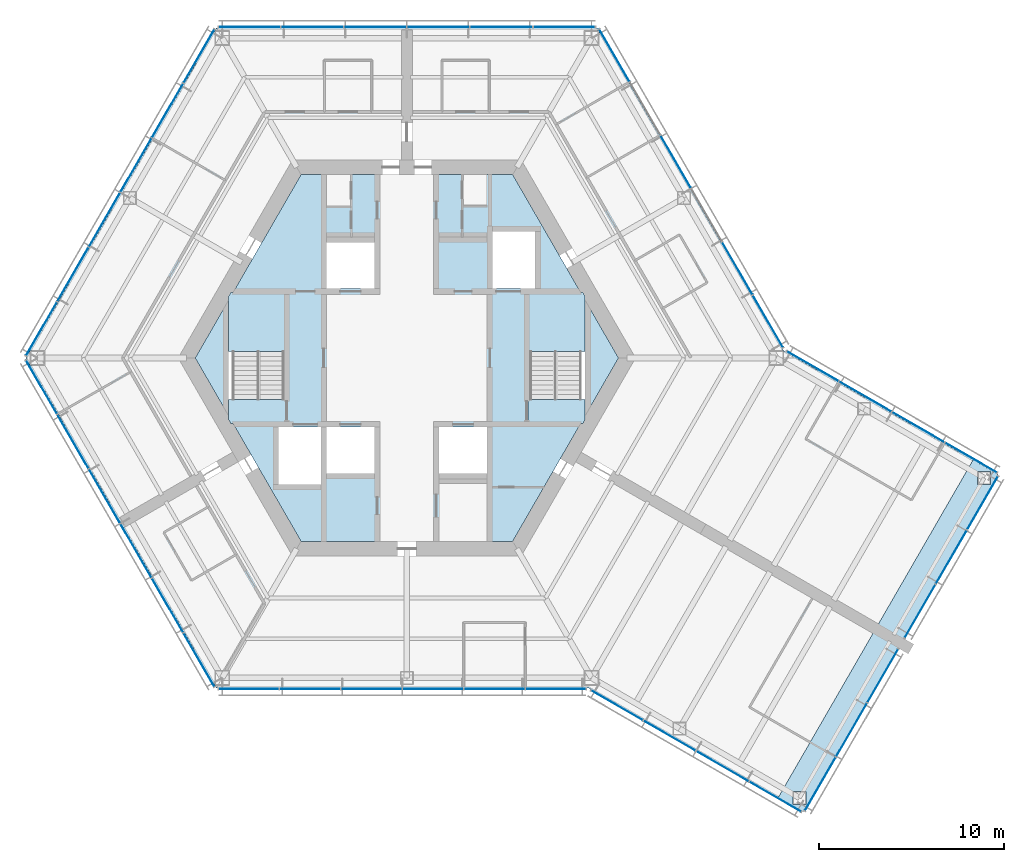
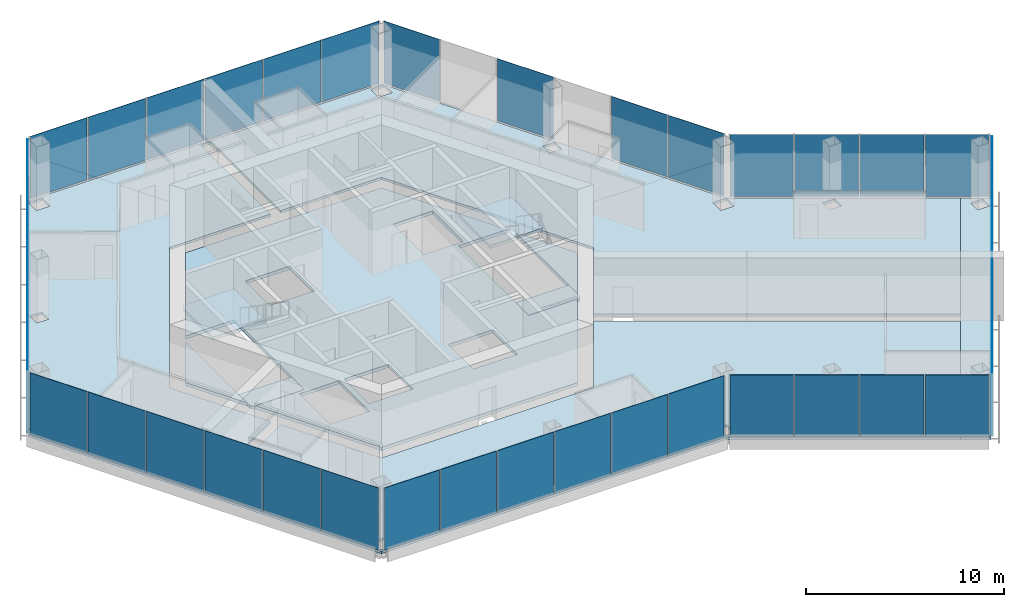
# One storey, part 8 of 15: 42 plates, 9 slabs, 11 elements without a shape of their own.
"""IFC4 building model written with IfcOpenShell, lengths in metres."""

from ifc_helpers import new_model, si_unit, direction, frame, origin, origin_2d, place, context, subcontext, project, spatial, polyline, rectangle, outline, extrude, material, layer, layer_set, type_object, element, aggregate, save


model = new_model("IFC4")

# Units and contexts
model_context = context("Model", 3, precision=1e-05, world=origin(), true_north=direction((0.0, 1.0)))
body_context = subcontext(model_context, "Body", "Model", "MODEL_VIEW")
ifc_project = project(units=[si_unit("LENGTHUNIT", "METRE"), si_unit("AREAUNIT", "SQUARE_METRE"), si_unit("VOLUMEUNIT", "CUBIC_METRE"), si_unit("PLANEANGLEUNIT", "RADIAN"), si_unit("MASSUNIT", "GRAM", prefix="KILO")], contexts=[model_context])

# Site, building, storey
site_placement = place(None, origin())
site = spatial("IfcSite", under=ifc_project, at=site_placement, CompositionType="ELEMENT")
building_placement = place(site_placement, origin())
building = spatial("IfcBuilding", under=site, at=building_placement, Name="Kasaneha Research Tower", CompositionType="ELEMENT")
storey_placement = place(building_placement, frame((0.0, 0.0, 240.10009765625)))
storey = spatial("IfcBuildingStorey", under=building, at=storey_placement, Name="L60", CompositionType="ELEMENT", Elevation=240.10009765625)

# Curtain wall, plates
ifc_material_1 = material(Name="Glass and aluminium", Category="aluminium")
curtain_wall_type = type_object("IfcCurtainWallType", Name="High-rise office curtain wall", PredefinedType="USERDEFINED", material=ifc_material_1)
curtain_wall_1_placement = place(storey_placement, origin())
curtain_wall_1 = element("IfcCurtainWall", 1, at=curtain_wall_1_placement, inside=storey, type_object=curtain_wall_type, Name="CW-O3 L60 run 01a", ObjectType="UNITISED CURTAIN WALL", PredefinedType="USERDEFINED")
ifc_material_2 = material(Name="Laminated double glazing", Category="glass")
ifc_layer_1 = layer(ifc_material_2, 0.02392578125)
ifc_layer_set_1 = layer_set([ifc_layer_1], Name="CW-O3 glazed panel")
plate_type = type_object("IfcPlateType", Name="CW-O3 glazed panel", PredefinedType="CURTAIN_PANEL", material=ifc_layer_set_1)
plate_1_placement = place(storey_placement, frame((19.549072265625, 1.981201171875, 0.06005859375), z_axis=(0.0, 0.0, 1.0), x_axis=(-0.499999979232, 0.866025415775, 0.0)))
plate_1 = element("IfcPlate", 2, at=plate_1_placement, type_object=plate_type, Name="CW-O3 panel 1", PredefinedType="CURTAIN_PANEL", context=body_context, shape_type="SweptSolid", body=[
    extrude(rectangle(XDim=3.240966796875, YDim=0.02392578125, at=origin_2d()), origin(), (0.0, 0.0, 1.0), 3.840087890625),
])
plate_2_placement = place(storey_placement, frame((17.89111328125, 4.852783203125, 0.06005859375), z_axis=(0.0, 0.0, 1.0), x_axis=(-0.499999979232, 0.866025415775, 0.0)))
plate_2 = element("IfcPlate", 3, at=plate_2_placement, type_object=plate_type, Name="CW-O3 panel 2", PredefinedType="CURTAIN_PANEL", context=body_context, shape_type="SweptSolid", body=[
    extrude(rectangle(XDim=3.27099609375, YDim=0.02392578125, at=origin_2d()), origin(), (0.0, 0.0, 1.0), 3.840087890625),
])
plate_3_placement = place(storey_placement, frame((14.56005859375, 10.622314453125, 0.06005859375), z_axis=(0.0, 0.0, 1.0), x_axis=(-0.499999979232, 0.866025415775, 0.0)))
plate_3 = element("IfcPlate", 4, at=plate_3_placement, type_object=plate_type, Name="CW-O3 panel 4", PredefinedType="CURTAIN_PANEL", context=body_context, shape_type="SweptSolid", body=[
    extrude(rectangle(XDim=3.27099609375, YDim=0.02392578125, at=origin_2d()), origin(), (0.0, 0.0, 1.0), 3.840087890625),
])
plate_4_placement = place(storey_placement, frame((11.236572265625, 16.378662109375, 0.06005859375), z_axis=(0.0, 0.0, 1.0), x_axis=(-0.499999979232, 0.866025415775, 0.0)))
plate_4 = element("IfcPlate", 5, at=plate_4_placement, type_object=plate_type, Name="CW-O3 panel 6", PredefinedType="CURTAIN_PANEL", context=body_context, shape_type="SweptSolid", body=[
    extrude(rectangle(XDim=3.240966796875, YDim=0.02392578125, at=origin_2d()), origin(), (0.0, 0.0, 1.0), 3.840087890625),
])
aggregate(curtain_wall_1, [plate_1, plate_2, plate_3, plate_4])

curtain_wall_2_placement = place(storey_placement, origin())
curtain_wall_2 = element("IfcCurtainWall", 6, at=curtain_wall_2_placement, inside=storey, type_object=curtain_wall_type, Name="CW-O3 L60 run 02a", ObjectType="UNITISED CURTAIN WALL", PredefinedType="USERDEFINED")
plate_5_placement = place(storey_placement, frame((8.523681640625, 17.92041015625, 0.06005859375), z_axis=(0.0, 0.0, 1.0), x_axis=(-1.0, 0.0, 0.0)))
plate_5 = element("IfcPlate", 7, at=plate_5_placement, type_object=plate_type, Name="CW-O3 panel 1", PredefinedType="CURTAIN_PANEL", context=body_context, shape_type="SweptSolid", body=[
    extrude(rectangle(XDim=3.325439453125, YDim=0.02392578125, at=origin_2d()), origin(), (0.0, 0.0, 1.0), 3.840087890625),
])
plate_6_placement = place(storey_placement, frame((5.123291015625, 17.92041015625, 0.06005859375), z_axis=(0.0, 0.0, 1.0), x_axis=(-1.0, 0.0, 0.0)))
plate_6 = element("IfcPlate", 8, at=plate_6_placement, type_object=plate_type, Name="CW-O3 panel 2", PredefinedType="CURTAIN_PANEL", context=body_context, shape_type="SweptSolid", body=[
    extrude(rectangle(XDim=3.35546875, YDim=0.02392578125, at=origin_2d()), origin(), (0.0, 0.0, 1.0), 3.840087890625),
])
plate_7_placement = place(storey_placement, frame((1.707763671875, 17.92041015625, 0.06005859375), z_axis=(0.0, 0.0, 1.0), x_axis=(-1.0, 0.0, 0.0)))
plate_7 = element("IfcPlate", 9, at=plate_7_placement, type_object=plate_type, Name="CW-O3 panel 3", PredefinedType="CURTAIN_PANEL", context=body_context, shape_type="SweptSolid", body=[
    extrude(rectangle(XDim=3.35546875, YDim=0.02392578125, at=origin_2d()), origin(), (0.0, 0.0, 1.0), 3.840087890625),
])
plate_8_placement = place(storey_placement, frame((-1.707763671875, 17.92041015625, 0.06005859375), z_axis=(0.0, 0.0, 1.0), x_axis=(-1.0, 0.0, 0.0)))
plate_8 = element("IfcPlate", 10, at=plate_8_placement, type_object=plate_type, Name="CW-O3 panel 4", PredefinedType="CURTAIN_PANEL", context=body_context, shape_type="SweptSolid", body=[
    extrude(rectangle(XDim=3.35546875, YDim=0.02392578125, at=origin_2d()), origin(), (0.0, 0.0, 1.0), 3.840087890625),
])
plate_9_placement = place(storey_placement, frame((-5.123291015625, 17.92041015625, 0.06005859375), z_axis=(0.0, 0.0, 1.0), x_axis=(-1.0, 0.0, 0.0)))
plate_9 = element("IfcPlate", 11, at=plate_9_placement, type_object=plate_type, Name="CW-O3 panel 5", PredefinedType="CURTAIN_PANEL", context=body_context, shape_type="SweptSolid", body=[
    extrude(rectangle(XDim=3.35546875, YDim=0.02392578125, at=origin_2d()), origin(), (0.0, 0.0, 1.0), 3.840087890625),
])
plate_10_placement = place(storey_placement, frame((-8.523681640625, 17.92041015625, 0.06005859375), z_axis=(0.0, 0.0, 1.0), x_axis=(-1.0, 0.0, 0.0)))
plate_10 = element("IfcPlate", 12, at=plate_10_placement, type_object=plate_type, Name="CW-O3 panel 6", PredefinedType="CURTAIN_PANEL", context=body_context, shape_type="SweptSolid", body=[
    extrude(rectangle(XDim=3.325439453125, YDim=0.02392578125, at=origin_2d()), origin(), (0.0, 0.0, 1.0), 3.840087890625),
])
aggregate(curtain_wall_2, [plate_5, plate_6, plate_7, plate_8, plate_9, plate_10])

curtain_wall_3_placement = place(storey_placement, origin())
curtain_wall_3 = element("IfcCurtainWall", 13, at=curtain_wall_3_placement, inside=storey, type_object=curtain_wall_type, Name="CW-O3 L60 run 03a", ObjectType="UNITISED CURTAIN WALL", PredefinedType="USERDEFINED")
plate_11_placement = place(storey_placement, frame((-11.2578125, 16.342041015625, 0.06005859375), z_axis=(0.0, 0.0, 1.0), x_axis=(-0.499999995722, -0.866025406254, 0.0)))
plate_11 = element("IfcPlate", 14, at=plate_11_placement, type_object=plate_type, Name="CW-O3 panel 1", PredefinedType="CURTAIN_PANEL", context=body_context, shape_type="SweptSolid", body=[
    extrude(rectangle(XDim=3.325439453125, YDim=0.02392578125, at=origin_2d()), origin(), (0.0, 0.0, 1.0), 3.840087890625),
])
plate_12_placement = place(storey_placement, frame((-12.9580078125, 13.39697265625, 0.06005859375), z_axis=(0.0, 0.0, 1.0), x_axis=(-0.499999995722, -0.866025406254, 0.0)))
plate_12 = element("IfcPlate", 15, at=plate_12_placement, type_object=plate_type, Name="CW-O3 panel 2", PredefinedType="CURTAIN_PANEL", context=body_context, shape_type="SweptSolid", body=[
    extrude(rectangle(XDim=3.35546875, YDim=0.02392578125, at=origin_2d()), origin(), (0.0, 0.0, 1.0), 3.840087890625),
])
plate_13_placement = place(storey_placement, frame((-14.665771484375, 10.439208984375, 0.06005859375), z_axis=(0.0, 0.0, 1.0), x_axis=(-0.499999995722, -0.866025406254, 0.0)))
plate_13 = element("IfcPlate", 16, at=plate_13_placement, type_object=plate_type, Name="CW-O3 panel 3", PredefinedType="CURTAIN_PANEL", context=body_context, shape_type="SweptSolid", body=[
    extrude(rectangle(XDim=3.35546875, YDim=0.02392578125, at=origin_2d()), origin(), (0.0, 0.0, 1.0), 3.840087890625),
])
plate_14_placement = place(storey_placement, frame((-16.37353515625, 7.481201171875, 0.06005859375), z_axis=(0.0, 0.0, 1.0), x_axis=(-0.499999995722, -0.866025406254, 0.0)))
plate_14 = element("IfcPlate", 17, at=plate_14_placement, type_object=plate_type, Name="CW-O3 panel 4", PredefinedType="CURTAIN_PANEL", context=body_context, shape_type="SweptSolid", body=[
    extrude(rectangle(XDim=3.35546875, YDim=0.02392578125, at=origin_2d()), origin(), (0.0, 0.0, 1.0), 3.840087890625),
])
plate_15_placement = place(storey_placement, frame((-18.081298828125, 4.5234375, 0.06005859375), z_axis=(0.0, 0.0, 1.0), x_axis=(-0.499999995722, -0.866025406254, 0.0)))
plate_15 = element("IfcPlate", 18, at=plate_15_placement, type_object=plate_type, Name="CW-O3 panel 5", PredefinedType="CURTAIN_PANEL", context=body_context, shape_type="SweptSolid", body=[
    extrude(rectangle(XDim=3.35546875, YDim=0.02392578125, at=origin_2d()), origin(), (0.0, 0.0, 1.0), 3.840087890625),
])
plate_16_placement = place(storey_placement, frame((-19.781494140625, 1.57861328125, 0.06005859375), z_axis=(0.0, 0.0, 1.0), x_axis=(-0.499999995722, -0.866025406254, 0.0)))
plate_16 = element("IfcPlate", 19, at=plate_16_placement, type_object=plate_type, Name="CW-O3 panel 6", PredefinedType="CURTAIN_PANEL", context=body_context, shape_type="SweptSolid", body=[
    extrude(rectangle(XDim=3.325439453125, YDim=0.02392578125, at=origin_2d()), origin(), (0.0, 0.0, 1.0), 3.840087890625),
])
aggregate(curtain_wall_3, [plate_11, plate_12, plate_13, plate_14, plate_15, plate_16])

curtain_wall_4_placement = place(storey_placement, origin())
curtain_wall_4 = element("IfcCurtainWall", 20, at=curtain_wall_4_placement, inside=storey, type_object=curtain_wall_type, Name="CW-O3 L60 run 04a", ObjectType="UNITISED CURTAIN WALL", PredefinedType="USERDEFINED")
plate_17_placement = place(storey_placement, frame((-19.781494140625, -1.57861328125, 0.06005859375), z_axis=(0.0, 0.0, 1.0), x_axis=(0.499999995722, -0.866025406254, 0.0)))
plate_17 = element("IfcPlate", 21, at=plate_17_placement, type_object=plate_type, Name="CW-O3 panel 1", PredefinedType="CURTAIN_PANEL", context=body_context, shape_type="SweptSolid", body=[
    extrude(rectangle(XDim=3.325439453125, YDim=0.02392578125, at=origin_2d()), origin(), (0.0, 0.0, 1.0), 3.840087890625),
])
plate_18_placement = place(storey_placement, frame((-18.081298828125, -4.5234375, 0.06005859375), z_axis=(0.0, 0.0, 1.0), x_axis=(0.499999995722, -0.866025406254, 0.0)))
plate_18 = element("IfcPlate", 22, at=plate_18_placement, type_object=plate_type, Name="CW-O3 panel 2", PredefinedType="CURTAIN_PANEL", context=body_context, shape_type="SweptSolid", body=[
    extrude(rectangle(XDim=3.35546875, YDim=0.02392578125, at=origin_2d()), origin(), (0.0, 0.0, 1.0), 3.840087890625),
])
plate_19_placement = place(storey_placement, frame((-16.37353515625, -7.481201171875, 0.06005859375), z_axis=(0.0, 0.0, 1.0), x_axis=(0.499999995722, -0.866025406254, 0.0)))
plate_19 = element("IfcPlate", 23, at=plate_19_placement, type_object=plate_type, Name="CW-O3 panel 3", PredefinedType="CURTAIN_PANEL", context=body_context, shape_type="SweptSolid", body=[
    extrude(rectangle(XDim=3.35546875, YDim=0.02392578125, at=origin_2d()), origin(), (0.0, 0.0, 1.0), 3.840087890625),
])
plate_20_placement = place(storey_placement, frame((-14.665771484375, -10.439208984375, 0.06005859375), z_axis=(0.0, 0.0, 1.0), x_axis=(0.499999995722, -0.866025406254, 0.0)))
plate_20 = element("IfcPlate", 24, at=plate_20_placement, type_object=plate_type, Name="CW-O3 panel 4", PredefinedType="CURTAIN_PANEL", context=body_context, shape_type="SweptSolid", body=[
    extrude(rectangle(XDim=3.35546875, YDim=0.02392578125, at=origin_2d()), origin(), (0.0, 0.0, 1.0), 3.840087890625),
])
plate_21_placement = place(storey_placement, frame((-12.9580078125, -13.39697265625, 0.06005859375), z_axis=(0.0, 0.0, 1.0), x_axis=(0.499999995722, -0.866025406254, 0.0)))
plate_21 = element("IfcPlate", 25, at=plate_21_placement, type_object=plate_type, Name="CW-O3 panel 5", PredefinedType="CURTAIN_PANEL", context=body_context, shape_type="SweptSolid", body=[
    extrude(rectangle(XDim=3.35546875, YDim=0.02392578125, at=origin_2d()), origin(), (0.0, 0.0, 1.0), 3.840087890625),
])
plate_22_placement = place(storey_placement, frame((-11.2578125, -16.342041015625, 0.06005859375), z_axis=(0.0, 0.0, 1.0), x_axis=(0.499999995722, -0.866025406254, 0.0)))
plate_22 = element("IfcPlate", 26, at=plate_22_placement, type_object=plate_type, Name="CW-O3 panel 6", PredefinedType="CURTAIN_PANEL", context=body_context, shape_type="SweptSolid", body=[
    extrude(rectangle(XDim=3.325439453125, YDim=0.02392578125, at=origin_2d()), origin(), (0.0, 0.0, 1.0), 3.840087890625),
])
aggregate(curtain_wall_4, [plate_17, plate_18, plate_19, plate_20, plate_21, plate_22])

curtain_wall_5_placement = place(storey_placement, origin())
curtain_wall_5 = element("IfcCurtainWall", 27, at=curtain_wall_5_placement, inside=storey, type_object=curtain_wall_type, Name="CW-O3 L60 run 05a", ObjectType="UNITISED CURTAIN WALL", PredefinedType="USERDEFINED")
plate_23_placement = place(storey_placement, frame((-8.56591796875, -17.92041015625, 0.06005859375), z_axis=(0.0, 0.0, 1.0), x_axis=(1.0, 0.0, 0.0)))
plate_23 = element("IfcPlate", 28, at=plate_23_placement, type_object=plate_type, Name="CW-O3 panel 1", PredefinedType="CURTAIN_PANEL", context=body_context, shape_type="SweptSolid", body=[
    extrude(rectangle(XDim=3.240966796875, YDim=0.02392578125, at=origin_2d()), origin(), (0.0, 0.0, 1.0), 3.840087890625),
])
plate_24_placement = place(storey_placement, frame((-5.25, -17.92041015625, 0.06005859375), z_axis=(0.0, 0.0, 1.0), x_axis=(1.0, 0.0, 0.0)))
plate_24 = element("IfcPlate", 29, at=plate_24_placement, type_object=plate_type, Name="CW-O3 panel 2", PredefinedType="CURTAIN_PANEL", context=body_context, shape_type="SweptSolid", body=[
    extrude(rectangle(XDim=3.27099609375, YDim=0.02392578125, at=origin_2d()), origin(), (0.0, 0.0, 1.0), 3.840087890625),
])
plate_25_placement = place(storey_placement, frame((-1.9189453125, -17.92041015625, 0.06005859375), z_axis=(0.0, 0.0, 1.0), x_axis=(1.0, 0.0, 0.0)))
plate_25 = element("IfcPlate", 30, at=plate_25_placement, type_object=plate_type, Name="CW-O3 panel 3", PredefinedType="CURTAIN_PANEL", context=body_context, shape_type="SweptSolid", body=[
    extrude(rectangle(XDim=3.27099609375, YDim=0.02392578125, at=origin_2d()), origin(), (0.0, 0.0, 1.0), 3.840087890625),
])
plate_26_placement = place(storey_placement, frame((1.411865234375, -17.92041015625, 0.06005859375), z_axis=(0.0, 0.0, 1.0), x_axis=(1.0, 0.0, 0.0)))
plate_26 = element("IfcPlate", 31, at=plate_26_placement, type_object=plate_type, Name="CW-O3 panel 4", PredefinedType="CURTAIN_PANEL", context=body_context, shape_type="SweptSolid", body=[
    extrude(rectangle(XDim=3.27099609375, YDim=0.02392578125, at=origin_2d()), origin(), (0.0, 0.0, 1.0), 3.840087890625),
])
plate_27_placement = place(storey_placement, frame((4.742919921875, -17.92041015625, 0.06005859375), z_axis=(0.0, 0.0, 1.0), x_axis=(1.0, 0.0, 0.0)))
plate_27 = element("IfcPlate", 32, at=plate_27_placement, type_object=plate_type, Name="CW-O3 panel 5", PredefinedType="CURTAIN_PANEL", context=body_context, shape_type="SweptSolid", body=[
    extrude(rectangle(XDim=3.27099609375, YDim=0.02392578125, at=origin_2d()), origin(), (0.0, 0.0, 1.0), 3.840087890625),
])
plate_28_placement = place(storey_placement, frame((8.058837890625, -17.92041015625, 0.06005859375), z_axis=(0.0, 0.0, 1.0), x_axis=(1.0, 0.0, 0.0)))
plate_28 = element("IfcPlate", 33, at=plate_28_placement, type_object=plate_type, Name="CW-O3 panel 6", PredefinedType="CURTAIN_PANEL", context=body_context, shape_type="SweptSolid", body=[
    extrude(rectangle(XDim=3.240966796875, YDim=0.02392578125, at=origin_2d()), origin(), (0.0, 0.0, 1.0), 3.840087890625),
])
aggregate(curtain_wall_5, [plate_23, plate_24, plate_25, plate_26, plate_27, plate_28])

curtain_wall_6_placement = place(storey_placement, origin())
curtain_wall_6 = element("IfcCurtainWall", 34, at=curtain_wall_6_placement, inside=storey, type_object=curtain_wall_type, Name="CW-O3 L60 run 06a", ObjectType="UNITISED CURTAIN WALL", PredefinedType="USERDEFINED")
plate_29_placement = place(storey_placement, frame((11.3720703125, -18.805419921875, 0.06005859375), z_axis=(0.0, 0.0, 1.0), x_axis=(0.866025411464, -0.499999986699, 0.0)))
plate_29 = element("IfcPlate", 35, at=plate_29_placement, type_object=plate_type, Name="CW-O3 panel 1", PredefinedType="CURTAIN_PANEL", context=body_context, shape_type="SweptSolid", body=[
    extrude(rectangle(XDim=3.2197265625, YDim=0.02392578125, at=origin_2d()), origin(), (0.0, 0.0, 1.0), 3.840087890625),
])
plate_30_placement = place(storey_placement, frame((14.225341796875, -20.452880859375, 0.06005859375), z_axis=(0.0, 0.0, 1.0), x_axis=(0.866025411464, -0.499999986699, 0.0)))
plate_30 = element("IfcPlate", 36, at=plate_30_placement, type_object=plate_type, Name="CW-O3 panel 2", PredefinedType="CURTAIN_PANEL", context=body_context, shape_type="SweptSolid", body=[
    extrude(rectangle(XDim=3.249755859375, YDim=0.02392578125, at=origin_2d()), origin(), (0.0, 0.0, 1.0), 3.840087890625),
])
plate_31_placement = place(storey_placement, frame((17.091796875, -22.107666015625, 0.06005859375), z_axis=(0.0, 0.0, 1.0), x_axis=(0.866025411464, -0.499999986699, 0.0)))
plate_31 = element("IfcPlate", 37, at=plate_31_placement, type_object=plate_type, Name="CW-O3 panel 3", PredefinedType="CURTAIN_PANEL", context=body_context, shape_type="SweptSolid", body=[
    extrude(rectangle(XDim=3.249755859375, YDim=0.02392578125, at=origin_2d()), origin(), (0.0, 0.0, 1.0), 3.840087890625),
])
plate_32_placement = place(storey_placement, frame((19.945068359375, -23.755126953125, 0.06005859375), z_axis=(0.0, 0.0, 1.0), x_axis=(0.866025411464, -0.499999986699, 0.0)))
plate_32 = element("IfcPlate", 38, at=plate_32_placement, type_object=plate_type, Name="CW-O3 panel 4", PredefinedType="CURTAIN_PANEL", context=body_context, shape_type="SweptSolid", body=[
    extrude(rectangle(XDim=3.2197265625, YDim=0.02392578125, at=origin_2d()), origin(), (0.0, 0.0, 1.0), 3.840087890625),
])
aggregate(curtain_wall_6, [plate_29, plate_30, plate_31, plate_32])

curtain_wall_7_placement = place(storey_placement, origin())
curtain_wall_7 = element("IfcCurtainWall", 39, at=curtain_wall_7_placement, inside=storey, type_object=curtain_wall_type, Name="CW-O3 L60 run 07a", ObjectType="UNITISED CURTAIN WALL", PredefinedType="USERDEFINED")
plate_33_placement = place(storey_placement, frame((22.385498046875, -23.068359375, 0.06005859375), z_axis=(0.0, 0.0, 1.0), x_axis=(0.500000011442, 0.866025397178, 0.0)))
plate_33 = element("IfcPlate", 40, at=plate_33_placement, type_object=plate_type, Name="CW-O3 panel 1", PredefinedType="CURTAIN_PANEL", context=body_context, shape_type="SweptSolid", body=[
    extrude(rectangle(XDim=3.31005859375, YDim=0.02392578125, at=origin_2d()), origin(), (0.0, 0.0, 1.0), 3.840087890625),
])
plate_34_placement = place(storey_placement, frame((24.077880859375, -20.13671875, 0.06005859375), z_axis=(0.0, 0.0, 1.0), x_axis=(0.500000011442, 0.866025397178, 0.0)))
plate_34 = element("IfcPlate", 41, at=plate_34_placement, type_object=plate_type, Name="CW-O3 panel 2", PredefinedType="CURTAIN_PANEL", context=body_context, shape_type="SweptSolid", body=[
    extrude(rectangle(XDim=3.340087890625, YDim=0.02392578125, at=origin_2d()), origin(), (0.0, 0.0, 1.0), 3.840087890625),
])
plate_35_placement = place(storey_placement, frame((25.7705078125, -17.205322265625, 0.06005859375), z_axis=(0.0, 0.0, 1.0), x_axis=(0.500000011442, 0.866025397178, 0.0)))
plate_35 = element("IfcPlate", 42, at=plate_35_placement, type_object=plate_type, Name="CW-O3 panel 3", PredefinedType="CURTAIN_PANEL", context=body_context, shape_type="SweptSolid", body=[
    extrude(rectangle(XDim=3.31005859375, YDim=0.02392578125, at=origin_2d()), origin(), (0.0, 0.0, 1.0), 3.840087890625),
])
aggregate(curtain_wall_7, [plate_33, plate_34, plate_35])

curtain_wall_8_placement = place(storey_placement, origin())
curtain_wall_8 = element("IfcCurtainWall", 43, at=curtain_wall_8_placement, inside=storey, type_object=curtain_wall_type, Name="CW-O3 L60 run 08a", ObjectType="UNITISED CURTAIN WALL", PredefinedType="USERDEFINED")
plate_36_placement = place(storey_placement, frame((27.785400390625, -13.71533203125, 0.06005859375), z_axis=(0.0, 0.0, 1.0), x_axis=(0.500000011442, 0.866025397178, 0.0)))
plate_36 = element("IfcPlate", 44, at=plate_36_placement, type_object=plate_type, Name="CW-O3 panel 1", PredefinedType="CURTAIN_PANEL", context=body_context, shape_type="SweptSolid", body=[
    extrude(rectangle(XDim=3.31005859375, YDim=0.02392578125, at=origin_2d()), origin(), (0.0, 0.0, 1.0), 3.840087890625),
])
plate_37_placement = place(storey_placement, frame((29.47802734375, -10.78369140625, 0.06005859375), z_axis=(0.0, 0.0, 1.0), x_axis=(0.500000011442, 0.866025397178, 0.0)))
plate_37 = element("IfcPlate", 45, at=plate_37_placement, type_object=plate_type, Name="CW-O3 panel 2", PredefinedType="CURTAIN_PANEL", context=body_context, shape_type="SweptSolid", body=[
    extrude(rectangle(XDim=3.340087890625, YDim=0.02392578125, at=origin_2d()), origin(), (0.0, 0.0, 1.0), 3.840087890625),
])
plate_38_placement = place(storey_placement, frame((31.17041015625, -7.852294921875, 0.06005859375), z_axis=(0.0, 0.0, 1.0), x_axis=(0.500000011442, 0.866025397178, 0.0)))
plate_38 = element("IfcPlate", 46, at=plate_38_placement, type_object=plate_type, Name="CW-O3 panel 3", PredefinedType="CURTAIN_PANEL", context=body_context, shape_type="SweptSolid", body=[
    extrude(rectangle(XDim=3.31005859375, YDim=0.02392578125, at=origin_2d()), origin(), (0.0, 0.0, 1.0), 3.840087890625),
])
aggregate(curtain_wall_8, [plate_36, plate_37, plate_38])

curtain_wall_9_placement = place(storey_placement, origin())
curtain_wall_9 = element("IfcCurtainWall", 47, at=curtain_wall_9_placement, inside=storey, type_object=curtain_wall_type, Name="CW-O3 L60 run 09a", ObjectType="UNITISED CURTAIN WALL", PredefinedType="USERDEFINED")
plate_39_placement = place(storey_placement, frame((30.545166015625, -5.3955078125, 0.06005859375), z_axis=(0.0, 0.0, 1.0), x_axis=(-0.866025411464, 0.499999986699, 0.0)))
plate_39 = element("IfcPlate", 48, at=plate_39_placement, type_object=plate_type, Name="CW-O3 panel 1", PredefinedType="CURTAIN_PANEL", context=body_context, shape_type="SweptSolid", body=[
    extrude(rectangle(XDim=3.2197265625, YDim=0.02392578125, at=origin_2d()), origin(), (0.0, 0.0, 1.0), 3.840087890625),
])
plate_40_placement = place(storey_placement, frame((27.69189453125, -3.748046875, 0.06005859375), z_axis=(0.0, 0.0, 1.0), x_axis=(-0.866025411464, 0.499999986699, 0.0)))
plate_40 = element("IfcPlate", 49, at=plate_40_placement, type_object=plate_type, Name="CW-O3 panel 2", PredefinedType="CURTAIN_PANEL", context=body_context, shape_type="SweptSolid", body=[
    extrude(rectangle(XDim=3.249755859375, YDim=0.02392578125, at=origin_2d()), origin(), (0.0, 0.0, 1.0), 3.840087890625),
])
plate_41_placement = place(storey_placement, frame((24.825439453125, -2.093017578125, 0.06005859375), z_axis=(0.0, 0.0, 1.0), x_axis=(-0.866025411464, 0.499999986699, 0.0)))
plate_41 = element("IfcPlate", 50, at=plate_41_placement, type_object=plate_type, Name="CW-O3 panel 3", PredefinedType="CURTAIN_PANEL", context=body_context, shape_type="SweptSolid", body=[
    extrude(rectangle(XDim=3.249755859375, YDim=0.02392578125, at=origin_2d()), origin(), (0.0, 0.0, 1.0), 3.840087890625),
])
plate_42_placement = place(storey_placement, frame((21.971923828125, -0.44580078125, 0.06005859375), z_axis=(0.0, 0.0, 1.0), x_axis=(-0.866025411464, 0.499999986699, 0.0)))
plate_42 = element("IfcPlate", 51, at=plate_42_placement, type_object=plate_type, Name="CW-O3 panel 4", PredefinedType="CURTAIN_PANEL", context=body_context, shape_type="SweptSolid", body=[
    extrude(rectangle(XDim=3.2197265625, YDim=0.02392578125, at=origin_2d()), origin(), (0.0, 0.0, 1.0), 3.840087890625),
])
aggregate(curtain_wall_9, [plate_39, plate_40, plate_41, plate_42])

# Slabs
ifc_material_3 = material(Name="Concrete Fc24", Category="concrete")
ifc_layer_2 = layer(ifc_material_3, 0.199951171875)
ifc_layer_set_2 = layer_set([ifc_layer_2], Name="Core floor slab 200")
slab_type_1 = type_object("IfcSlabType", Name="Core floor slab 200", PredefinedType="FLOOR", material=ifc_layer_set_2)
slab_1_placement = place(storey_placement, frame((0.0, 0.0, -0.2001953125)))
element("IfcSlab", 52, at=slab_1_placement, inside=storey, type_object=slab_type_1, Name="Core slab L60", PredefinedType="FLOOR", context=body_context, shape_type="SweptSolid", body=[
    extrude(outline(polyline([(-11.46044921875, 0.0), (-9.64990234375, 3.1357421875), (-9.64990234375, -3.1357421875), (-11.46044921875, 0.0)])), origin(), (0.0, 0.0, 1.0), 0.2001953125),
])
slab_2_placement = place(storey_placement, frame((0.0, 0.0, -0.2001953125)))
element("IfcSlab", 53, at=slab_2_placement, inside=storey, type_object=slab_type_1, Name="Core slab L60", PredefinedType="FLOOR", context=body_context, shape_type="SweptSolid", body=[
    extrude(outline(polyline([(-5.730224609375, 9.925048828125), (5.730224609375, 9.925048828125), (9.410888671875, 3.550048828125), (6.550048828125, 3.550048828125), (6.550048828125, -3.550048828125), (9.410888671875, -3.550048828125), (5.730224609375, -9.925048828125), (-5.730224609375, -9.925048828125), (-9.410888671875, -3.550048828125), (-6.550048828125, -3.550048828125), (-6.550048828125, 3.550048828125), (-9.410888671875, 3.550048828125), (-5.730224609375, 9.925048828125)]), holes=[polyline([(-6.949951171875, -6.85009765625), (-4.64990234375, -6.85009765625), (-4.64990234375, -3.75), (-6.949951171875, -3.75), (-6.949951171875, -6.85009765625)]), polyline([(-4.35009765625, -3.75), (-4.35009765625, -6.25), (-1.75, -6.25), (-1.75, -3.75), (-4.35009765625, -3.75)]), polyline([(1.75, -3.75), (1.75, -6.25), (4.35009765625, -6.25), (4.35009765625, -3.75), (1.75, -3.75)]), polyline([(-4.35009765625, 6.25), (-4.35009765625, 3.75), (-1.75, 3.75), (-1.75, 6.25), (-4.35009765625, 6.25)]), polyline([(4.64990234375, 6.85009765625), (4.64990234375, 3.75), (6.949951171875, 3.75), (6.949951171875, 6.85009765625), (4.64990234375, 6.85009765625)])]), origin(), (0.0, 0.0, 1.0), 0.2001953125),
])
slab_3_placement = place(storey_placement, frame((0.0, 0.0, -0.2001953125)))
element("IfcSlab", 54, at=slab_3_placement, inside=storey, type_object=slab_type_1, Name="Core slab L60", PredefinedType="FLOOR", context=body_context, shape_type="SweptSolid", body=[
    extrude(outline(polyline([(11.46044921875, 0.0), (9.64990234375, -3.1357421875), (9.64990234375, 3.1357421875), (11.46044921875, 0.0)])), origin(), (0.0, 0.0, 1.0), 0.2001953125),
])
ifc_material_4 = material(Name="Concrete Fc24", Category="concrete")
ifc_layer_3 = layer(ifc_material_4, 0.14990234375)
ifc_layer_set_3 = layer_set([ifc_layer_3], Name="Floor slab 150")
slab_type_2 = type_object("IfcSlabType", Name="Floor slab 150", PredefinedType="FLOOR", material=ifc_layer_set_3)
slab_4_placement = place(storey_placement, frame((0.0, 0.0, -0.150146484375)))
element("IfcSlab", 55, at=slab_4_placement, inside=storey, type_object=slab_type_2, Name="Floor slab L60 1", PredefinedType="FLOOR", context=body_context, shape_type="SweptSolid", body=[
    extrude(outline(polyline([(-10.317626953125, -17.87060546875), (-10.3974609375, -17.732177734375), (-10.385986328125, -17.720703125), (-9.599853515625, -17.720703125), (-9.599853515625, -16.92041015625), (-10.400146484375, -16.92041015625), (-10.400146484375, -17.70654296875), (-10.40771484375, -17.714111328125), (-20.635009765625, 0.0), (-20.40771484375, 0.3935546875), (-20.400146484375, 0.385986328125), (-20.400146484375, -0.400146484375), (-19.599853515625, -0.400146484375), (-19.599853515625, 0.400146484375), (-20.385986328125, 0.400146484375), (-20.3974609375, 0.41162109375), (-10.40771484375, 17.714111328125), (-10.400146484375, 17.70654296875), (-10.400146484375, 16.92041015625), (-9.599853515625, 16.92041015625), (-9.599853515625, 17.720703125), (-10.385986328125, 17.720703125), (-10.3974609375, 17.732177734375), (-10.317626953125, 17.87060546875), (10.317626953125, 17.87060546875), (10.3974609375, 17.732177734375), (10.385986328125, 17.720703125), (9.599853515625, 17.720703125), (9.599853515625, 16.92041015625), (10.400146484375, 16.92041015625), (10.400146484375, 17.70654296875), (10.40771484375, 17.714111328125), (20.3974609375, 0.41162109375), (20.385986328125, 0.400146484375), (19.599853515625, 0.400146484375), (19.599853515625, -0.400146484375), (20.400146484375, -0.400146484375), (20.400146484375, 0.385986328125), (20.41162109375, 0.3974609375), (30.65869140625, -5.518798828125), (25.53369140625, -14.3955078125), (9.438232421875, -5.102783203125), (12.38427734375, 0.0), (6.192138671875, 10.72509765625), (0.300048828125, 10.72509765625), (0.300048828125, 17.7705078125), (-0.300048828125, 17.7705078125), (-0.300048828125, 10.72509765625), (-6.192138671875, 10.72509765625), (-12.38427734375, 0.0), (-9.438232421875, -5.102783203125), (-15.539794921875, -8.62548828125), (-15.23974609375, -9.14501953125), (-9.13818359375, -5.622314453125), (-6.192138671875, -10.72509765625), (6.192138671875, -10.72509765625), (9.13818359375, -5.622314453125), (25.233642578125, -14.9150390625), (20.108642578125, -23.791748046875), (9.8525390625, -17.87060546875), (-10.317626953125, -17.87060546875)]), holes=[polyline([(-0.35009765625, -17.67041015625), (0.35009765625, -17.67041015625), (0.35009765625, -16.970458984375), (-0.35009765625, -16.970458984375), (-0.35009765625, -17.67041015625)]), polyline([(-15.35009765625, 8.310302734375), (-14.64990234375, 8.310302734375), (-14.64990234375, 9.01025390625), (-15.35009765625, 9.01025390625), (-15.35009765625, 8.310302734375)]), polyline([(14.4130859375, -20.42041015625), (15.113037109375, -20.42041015625), (15.113037109375, -19.720458984375), (14.4130859375, -19.720458984375), (14.4130859375, -20.42041015625)]), polyline([(9.60009765625, -17.720458984375), (10.39990234375, -17.720458984375), (10.39990234375, -16.92041015625), (9.60009765625, -16.92041015625), (9.60009765625, -17.720458984375)]), polyline([(24.4130859375, -3.10009765625), (25.113037109375, -3.10009765625), (25.113037109375, -2.39990234375), (24.4130859375, -2.39990234375), (24.4130859375, -3.10009765625)]), polyline([(14.64990234375, 9.01025390625), (14.64990234375, 8.310302734375), (15.35009765625, 8.310302734375), (15.35009765625, 9.01025390625), (14.64990234375, 9.01025390625)])]), origin(), (0.0, 0.0, 1.0), 0.150146484375),
])
slab_5_placement = place(storey_placement, frame((0.0, 0.0, -0.150146484375)))
element("IfcSlab", 56, at=slab_5_placement, inside=storey, type_object=slab_type_2, Name="Floor slab L60 2", PredefinedType="FLOOR", context=body_context, shape_type="SweptSolid", body=[
    extrude(outline(polyline([(32.009521484375, -6.298583984375), (21.459716796875, -24.57177734375), (20.108642578125, -23.791748046875), (25.233642578125, -14.9150390625), (25.2421875, -14.920166015625), (25.542236328125, -14.400390625), (25.53369140625, -14.3955078125), (30.65869140625, -5.518798828125), (32.009521484375, -6.298583984375)]), holes=[polyline([(20.908447265625, -24.17041015625), (21.6083984375, -24.17041015625), (21.6083984375, -23.470458984375), (20.908447265625, -23.470458984375), (20.908447265625, -24.17041015625)]), polyline([(30.908447265625, -6.85009765625), (31.6083984375, -6.85009765625), (31.6083984375, -6.14990234375), (30.908447265625, -6.14990234375), (30.908447265625, -6.85009765625)])]), origin(), (0.0, 0.0, 1.0), 0.150146484375),
])

# Stair, slabs
ifc_material_5 = material(Name="Concrete Fc24", Category="concrete")
stair_type = type_object("IfcStairType", Name="Half-turn stair 22 risers", PredefinedType="HALF_TURN_STAIR", material=ifc_material_5)
stair_1_placement = place(storey_placement, origin())
stair_1 = element("IfcStair", 57, at=stair_1_placement, inside=storey, type_object=stair_type, Name="Stair 1 L60", PredefinedType="HALF_TURN_STAIR")
ifc_material_6 = material(Name="Concrete Fc24", Category="concrete")
ifc_layer_4 = layer(ifc_material_6, 0.199951171875)
ifc_layer_set_4 = layer_set([ifc_layer_4], Name="Stair 1 landing 200")
slab_type_3 = type_object("IfcSlabType", Name="Stair 1 landing 200", PredefinedType="LANDING", material=ifc_layer_set_4)
slab_6_placement = place(storey_placement, frame((0.0, 0.0, -0.2001953125)))
slab_6 = element("IfcSlab", 58, at=slab_6_placement, type_object=slab_type_3, Name="ST1-22R landing 1", PredefinedType="LANDING", context=body_context, shape_type="SweptSolid", body=[
    extrude(outline(polyline([(9.5263671875, -3.550048828125), (6.550048828125, -3.550048828125), (6.550048828125, -2.25), (9.64990234375, -2.25), (9.64990234375, -3.335693359375), (9.5263671875, -3.550048828125)])), origin(), (0.0, 0.0, 1.0), 0.2001953125),
])
slab_7_placement = place(storey_placement, frame((0.0, 0.0, 1.75)))
slab_7 = element("IfcSlab", 59, at=slab_7_placement, type_object=slab_type_3, Name="ST1-22R landing 2", PredefinedType="LANDING", context=body_context, shape_type="SweptSolid", body=[
    extrude(outline(polyline([(6.550048828125, 3.550048828125), (9.5263671875, 3.550048828125), (9.64990234375, 3.335693359375), (9.64990234375, 0.35009765625), (6.550048828125, 0.35009765625), (6.550048828125, 3.550048828125)])), origin(), (0.0, 0.0, 1.0), 0.199951171875),
])
aggregate(stair_1, [slab_6, slab_7])

stair_2_placement = place(storey_placement, origin())
stair_2 = element("IfcStair", 60, at=stair_2_placement, inside=storey, type_object=stair_type, Name="Stair 2 L60", PredefinedType="HALF_TURN_STAIR")
ifc_material_7 = material(Name="Concrete Fc24", Category="concrete")
ifc_layer_5 = layer(ifc_material_7, 0.199951171875)
ifc_layer_set_5 = layer_set([ifc_layer_5], Name="Stair 2 landing 200")
slab_type_4 = type_object("IfcSlabType", Name="Stair 2 landing 200", PredefinedType="LANDING", material=ifc_layer_set_5)
slab_8_placement = place(storey_placement, frame((0.0, 0.0, -0.2001953125)))
slab_8 = element("IfcSlab", 61, at=slab_8_placement, type_object=slab_type_4, Name="ST2-22R landing 1", PredefinedType="LANDING", context=body_context, shape_type="SweptSolid", body=[
    extrude(outline(polyline([(-6.550048828125, -3.550048828125), (-9.5263671875, -3.550048828125), (-9.64990234375, -3.335693359375), (-9.64990234375, -2.25), (-6.550048828125, -2.25), (-6.550048828125, -3.550048828125)])), origin(), (0.0, 0.0, 1.0), 0.2001953125),
])
slab_9_placement = place(storey_placement, frame((0.0, 0.0, 1.75)))
slab_9 = element("IfcSlab", 62, at=slab_9_placement, type_object=slab_type_4, Name="ST2-22R landing 2", PredefinedType="LANDING", context=body_context, shape_type="SweptSolid", body=[
    extrude(outline(polyline([(-6.550048828125, 0.35009765625), (-9.64990234375, 0.35009765625), (-9.64990234375, 3.335693359375), (-9.5263671875, 3.550048828125), (-6.550048828125, 3.550048828125), (-6.550048828125, 0.35009765625)])), origin(), (0.0, 0.0, 1.0), 0.199951171875),
])
aggregate(stair_2, [slab_8, slab_9])

save(model, "model.ifc")
